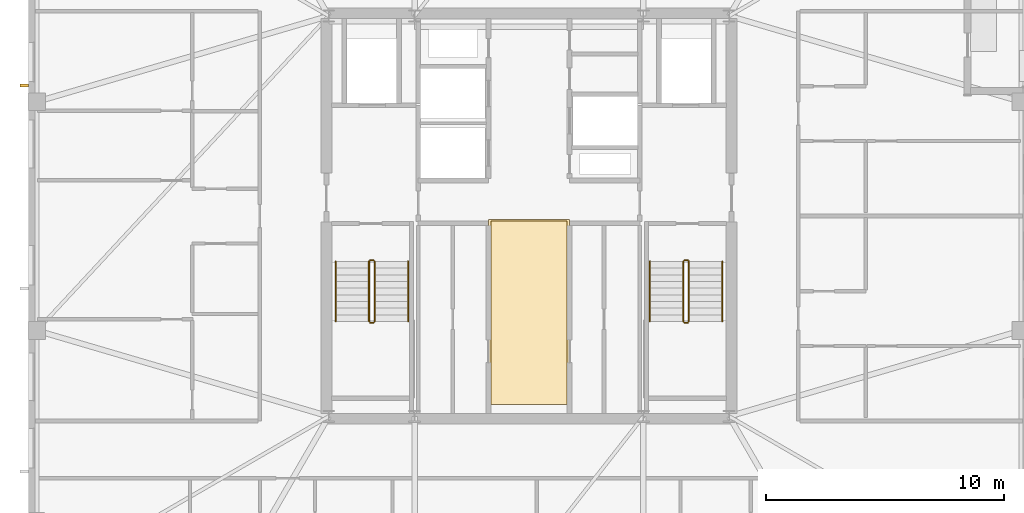
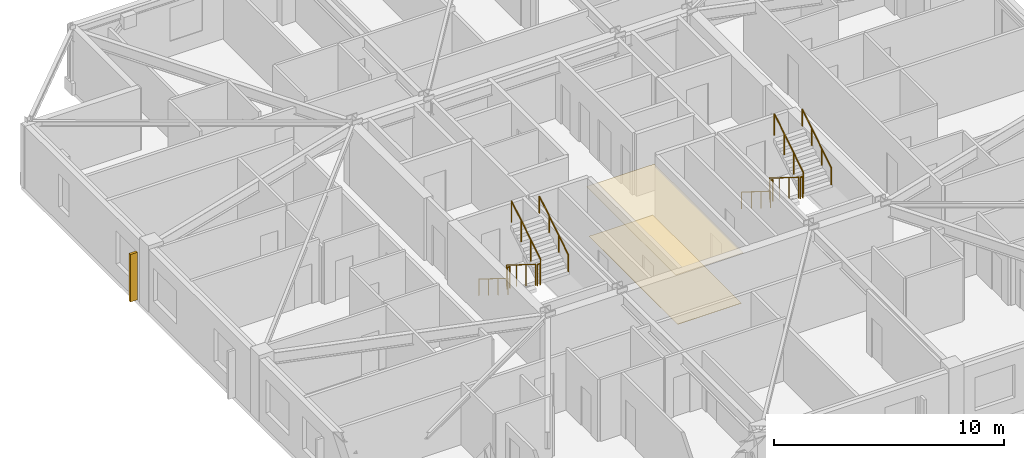
# One storey, part 14 of 16: 12 railings, 2 coverings, 1 shading device.
"""IFC4 building model written with IfcOpenShell, lengths in metres."""

import ifcopenshell
import ifcopenshell.guid

model = None  # the IFC model being written
_history = None  # IfcOwnerHistory: only IFC2X3 demands one
_inside = {}  # id of a spatial element -> (the spatial element, [elements in it])
_under = {}  # id of a project, library or spatial element -> (it, [spatial elements below it])
_declared = {}  # id of a project -> (the project, [libraries it declares])
_typed = {}  # id of a type object -> (the type object, [elements of that type])
_made_of = {}  # id of a material, layer set ... -> (it, [elements and type objects made of it])


def new_model(schema):
    """Start an empty IFC model of exactly this schema.

    Asked for "IFC4X3", IfcOpenShell would pick the latest addendum, in which some entities
    have other attributes; the version numbers below select the first issue.
    IFC2X3 requires an IfcOwnerHistory on every rooted entity: one is made here for all.
    """
    global model, _history
    if schema == "IFC4X3":
        model = ifcopenshell.file(schema_version=(4, 3, 0, 0))
    else:
        model = ifcopenshell.file(schema=schema)
    _inside.clear()
    _under.clear()
    _declared.clear()
    _typed.clear()
    _made_of.clear()
    _history = None
    if model.schema == "IFC2X3":
        org = make("IfcOrganization", Name="unknown")
        user = make(
            "IfcPersonAndOrganization",
            ThePerson=make("IfcPerson", FamilyName="unknown"),
            TheOrganization=org,
        )
        app = make(
            "IfcApplication",
            ApplicationDeveloper=org,
            Version="unknown",
            ApplicationFullName="unknown",
            ApplicationIdentifier="unknown",
        )
        _history = make(
            "IfcOwnerHistory",
            OwningUser=user,
            OwningApplication=app,
            ChangeAction="ADDED",
            CreationDate=0,
        )
    return model


def make(cls, **values):
    """One entity of the class cls with the attributes given. An attribute that is None is left unset."""
    return model.create_entity(
        cls, **{name: value for name, value in values.items() if value is not None}
    )


def rooted(cls, **values):
    """An entity with a GlobalId (a new one), such as an element, a storey or a relation."""
    return make(cls, GlobalId=ifcopenshell.guid.new(), OwnerHistory=_history, **values)


def si_unit(unit_type, name, prefix=None):
    """IfcSIUnit, for example si_unit("LENGTHUNIT", "METRE", prefix="MILLI")."""
    return make("IfcSIUnit", UnitType=unit_type, Prefix=prefix, Name=name)


def assignment(units):
    """IfcUnitAssignment: the units of a project."""
    return None if units is None else make("IfcUnitAssignment", Units=units)


def point(xyz):
    """IfcCartesianPoint."""
    return None if xyz is None else make("IfcCartesianPoint", Coordinates=xyz)


def direction(xyz):
    """IfcDirection."""
    return None if xyz is None else make("IfcDirection", DirectionRatios=xyz)


def frame(location, z_axis=None, x_axis=None):
    """IfcAxis2Placement3D, a coordinate frame: its origin and axes. An axis left out is left unset."""
    return make(
        "IfcAxis2Placement3D",
        Location=point(location),
        Axis=direction(z_axis),
        RefDirection=direction(x_axis),
    )


def frame_2d(location, x_axis=None):
    """IfcAxis2Placement2D, a coordinate frame in the plane: its origin and x axis."""
    return make(
        "IfcAxis2Placement2D", Location=point(location), RefDirection=direction(x_axis)
    )


def origin():
    """The frame at (0, 0, 0) with its axes left unset."""
    return frame((0.0, 0.0, 0.0))


def origin_2d():
    """The frame at (0, 0) in the plane with its x axis left unset."""
    return frame_2d((0.0, 0.0))


def place(relative_to, where):
    """IfcLocalPlacement: puts the frame where relative to a parent placement (None: the world)."""
    return make(
        "IfcLocalPlacement", PlacementRelTo=relative_to, RelativePlacement=where
    )


def context(
    kind, dimensions, precision=None, world=None, true_north=None, identifier=None
):
    """IfcGeometricRepresentationContext, for example the 3D "Model" context."""
    return make(
        "IfcGeometricRepresentationContext",
        ContextIdentifier=identifier,
        ContextType=kind,
        CoordinateSpaceDimension=dimensions,
        Precision=precision,
        WorldCoordinateSystem=world,
        TrueNorth=true_north,
    )


def subcontext(parent, identifier, kind, view, scale=None):
    """IfcGeometricRepresentationSubContext, for example "Body" below "Model"."""
    return make(
        "IfcGeometricRepresentationSubContext",
        ContextIdentifier=identifier,
        ContextType=kind,
        ParentContext=parent,
        TargetScale=scale,
        TargetView=view,
    )


def project(units=None, contexts=None):
    """IfcProject with its units and contexts."""
    return rooted(
        "IfcProject",
        Name="project",
        RepresentationContexts=contexts,
        UnitsInContext=assignment(units),
    )


def spatial(cls, under=None, at=None, **own):
    """A site, building, storey or space (cls), placed at a placement, below another one or the project."""
    s = rooted(cls, ObjectPlacement=at, **own)
    if under is not None:
        _under.setdefault(under.id(), (under, []))[1].append(s)
    return s


def polyline(points):
    """IfcPolyline through the points."""
    return make("IfcPolyline", Points=[point(p) for p in points])


def profile(cls, at=None, kind="AREA", **sizes):
    """A parametric profile (cls). Its sizes go by their IFC names, for example OverallWidth=200.0."""
    return make(cls, ProfileType=kind, Position=at, **sizes)


def rectangle(**sizes):
    """IfcRectangleProfileDef."""
    return profile("IfcRectangleProfileDef", **sizes)


def circle(**sizes):
    """IfcCircleProfileDef."""
    return profile("IfcCircleProfileDef", **sizes)


def outline(outer, holes=None, kind="AREA"):
    """IfcArbitraryClosedProfileDef: a profile drawn as a closed curve; with holes, ...WithVoids."""
    if holes is None:
        return make("IfcArbitraryClosedProfileDef", ProfileType=kind, OuterCurve=outer)
    return make(
        "IfcArbitraryProfileDefWithVoids",
        ProfileType=kind,
        OuterCurve=outer,
        InnerCurves=holes,
    )


def extrude(swept, where, along, depth):
    """IfcExtrudedAreaSolid: the profile swept, set in the frame where, extruded along a direction by depth."""
    return make(
        "IfcExtrudedAreaSolid",
        SweptArea=swept,
        Position=where,
        ExtrudedDirection=direction(along),
        Depth=depth,
    )


def shape(context_of_items, identifier, shape_type, items):
    """IfcShapeRepresentation: the items that make up one representation, for example the "Body"."""
    return make(
        "IfcShapeRepresentation",
        ContextOfItems=context_of_items,
        RepresentationIdentifier=identifier,
        RepresentationType=shape_type,
        Items=items,
    )


def material(Name=None, Category=None):
    """IfcMaterial."""
    return make("IfcMaterial", Name=Name, Category=Category)


def layer(
    of_material, thickness, ventilated=None, Name=None, Category=None, Priority=None
):
    """IfcMaterialLayer: one layer of a wall or slab, of a material (None: an air gap)."""
    return make(
        "IfcMaterialLayer",
        Material=of_material,
        LayerThickness=thickness,
        IsVentilated=ventilated,
        Name=Name,
        Category=Category,
        Priority=Priority,
    )


def layer_set(layers, Name=None):
    """IfcMaterialLayerSet."""
    return make("IfcMaterialLayerSet", MaterialLayers=layers, LayerSetName=Name)


def made_of(thing, what):
    """Note that an element or type object is made of a material, layer set ...; save() writes the relation."""
    if what is not None:
        _made_of.setdefault(what.id(), (what, []))[1].append(thing)
    return thing


def type_object(cls, material=None, **own):
    """A type object (cls), such as IfcWallType, which elements share."""
    return made_of(rooted(cls, **own), material)


def element(
    cls,
    number,
    at=None,
    inside=None,
    cuts=None,
    type_object=None,
    material=None,
    context=None,
    identifier="Body",
    shape_type=None,
    held_by="IfcProductDefinitionShape",
    body=None,
    shapes=None,
    **own,
):
    """One element of the class cls, such as IfcWall. Its Tag is "e" and its number.

    at: its placement. inside: the storey or other place that contains it. cuts: it is an
    opening in that element (IfcRelVoidsElement). A single representation is given by context,
    identifier, shape_type and body (its items); several are given by shapes. held_by: the class
    of the entity that holds the representations. save() writes the other relations.
    """
    e = rooted(cls, Tag="e%d" % number, ObjectPlacement=at, **own)
    if body is not None:
        shapes = [shape(context, identifier, shape_type, body)]
    if shapes is not None:
        e.Representation = make(held_by, Representations=shapes)
    if inside is not None:
        _inside.setdefault(inside.id(), (inside, []))[1].append(e)
    if cuts is not None:
        rooted(
            "IfcRelVoidsElement", RelatingBuildingElement=cuts, RelatedOpeningElement=e
        )
    if type_object is not None:
        _typed.setdefault(type_object.id(), (type_object, []))[1].append(e)
    return made_of(e, material)


def aggregate(whole, parts):
    """IfcRelAggregates: a whole, such as a stair, and the parts it consists of."""
    return rooted("IfcRelAggregates", RelatingObject=whole, RelatedObjects=parts)


def save(model, path):
    """Write the relations noted so far, then the file.

    IfcRelAggregates (storeys below a building ...), IfcRelContainedInSpatialStructure (elements
    in a storey), IfcRelDefinesByType, IfcRelAssociatesMaterial and IfcRelDeclares: one each for
    every whole, place, type object, material and project.
    """
    for whole, parts in _under.values():
        aggregate(whole, parts)
    for where, things in _inside.values():
        rooted(
            "IfcRelContainedInSpatialStructure",
            RelatedElements=things,
            RelatingStructure=where,
        )
    for kind, things in _typed.values():
        rooted("IfcRelDefinesByType", RelatedObjects=things, RelatingType=kind)
    for what, things in _made_of.values():
        rooted("IfcRelAssociatesMaterial", RelatedObjects=things, RelatingMaterial=what)
    for by, libraries in _declared.values():
        rooted("IfcRelDeclares", RelatingContext=by, RelatedDefinitions=libraries)
    model.write(path)


model = new_model("IFC4")

# Units and contexts
model_context = context("Model", 3, precision=1e-05, world=origin(), true_north=direction((0.0, 1.0)))
body_context = subcontext(model_context, "Body", "Model", "MODEL_VIEW")
ifc_project = project(units=[si_unit("LENGTHUNIT", "METRE"), si_unit("AREAUNIT", "SQUARE_METRE"), si_unit("VOLUMEUNIT", "CUBIC_METRE"), si_unit("PLANEANGLEUNIT", "RADIAN"), si_unit("MASSUNIT", "GRAM", prefix="KILO")], contexts=[model_context])

# Site, building, storey
site_placement = place(None, origin())
site = spatial("IfcSite", under=ifc_project, at=site_placement, CompositionType="ELEMENT")
building_placement = place(site_placement, origin())
building = spatial("IfcBuilding", under=site, at=building_placement, Name="Cairnveth Concourse Tower", CompositionType="ELEMENT")
storey_placement = place(building_placement, frame((0.0, 0.0, 312.0)))
storey = spatial("IfcBuildingStorey", under=building, at=storey_placement, Name="L86", CompositionType="ELEMENT", Elevation=312.0)

# Covering
ifc_material_1 = material(Name="Acoustic Mineral Fibre Ceiling", Category="gypsum")
ifc_layer_1 = layer(ifc_material_1, 0.02490234375)
ifc_layer_set_1 = layer_set([ifc_layer_1], Name="Acoustic Mineral Fibre Ceiling")
covering_type_1 = type_object("IfcCoveringType", Name="ACOUSTIC MINERAL FIBRE CEILING 25", PredefinedType="CEILING", material=ifc_layer_set_1)
covering_1_placement = place(storey_placement, frame((0.0, 0.0, 2.637939453125)))
element("IfcCovering", 1, at=covering_1_placement, inside=storey, type_object=covering_type_1, Name="Lift Lobby Acoustic Ceiling L86", PredefinedType="CEILING", context=body_context, shape_type="SweptSolid", body=[
    extrude(outline(polyline([(50.300048828125, 31.10009765625), (53.699951171875, 31.10009765625), (53.699951171875, 38.85009765625), (50.300048828125, 38.85009765625), (50.300048828125, 31.10009765625)])), origin(), (0.0, 0.0, 1.0), 0.025146484375),
])

# Shading device
ifc_material_2 = material(Name="Architectural Bronze Anodised Aluminium 6063-T6", Category="aluminium")
shading_device_type = type_object("IfcShadingDeviceType", Name="GOTHIC BRONZE VERTICAL LANCET FIN", PredefinedType="USERDEFINED", material=ifc_material_2)
shading_device_placement = place(storey_placement, frame((30.824951171875, 44.4814453125, 0.030029296875), z_axis=(0.0, 0.0, 1.0), x_axis=(0.0, 1.0, 0.0)))
element("IfcShadingDevice", 2, at=shading_device_placement, inside=storey, type_object=shading_device_type, Name="Gothic Bronze Vertical Fin L86-6-5", ObjectType="VERTICAL FIN", PredefinedType="USERDEFINED", context=body_context, shape_type="SweptSolid", body=[
    extrude(rectangle(XDim=0.1201171875, YDim=0.360107421875, at=origin_2d()), origin(), (0.0, 0.0, 1.0), 2.51806640625),
])

# Railings
ifc_material_3 = material(Name="Steel Grade 350", Category="steel")
railing_type_1 = type_object("IfcRailingType", Name="STAIR GUARDRAIL 1150", PredefinedType="GUARDRAIL", material=ifc_material_3)
railing_1_placement = place(storey_placement, frame((45.2900390625, 37.10009765625, 0.175048828125)))
element("IfcRailing", 3, at=railing_1_placement, inside=storey, type_object=railing_type_1, Name="L86 ST-1 stair guard 1", PredefinedType="GUARDRAIL", context=body_context, shape_type="SweptSolid", body=[
    extrude(circle(Radius=0.02392578125, at=origin_2d()), frame((0.0, 0.0, 1.1259765625), z_axis=(0.0, -0.848007534815, 0.529984170421), x_axis=(1.0, 0.0, 0.0)), (0.0, 0.0, 1.0), 2.9716796875),
    extrude(circle(Radius=0.02099609375, at=origin_2d()), origin(), (0.0, 0.0, 1.0), 1.101806640625),
    extrude(circle(Radius=0.02099609375, at=origin_2d()), frame((0.0, -0.840087890625, 0.52490234375)), (0.0, 0.0, 1.0), 1.101806640625),
    extrude(circle(Radius=0.02099609375, at=origin_2d()), frame((0.0, -1.679931640625, 1.050048828125)), (0.0, 0.0, 1.0), 1.101806640625),
    extrude(circle(Radius=0.02099609375, at=origin_2d()), frame((0.0, -2.52001953125, 1.574951171875)), (0.0, 0.0, 1.0), 1.101806640625),
])
railing_2_placement = place(storey_placement, frame((45.340087890625, 34.530029296875, 1.75)))
element("IfcRailing", 4, at=railing_2_placement, inside=storey, type_object=railing_type_1, Name="L86 ST-1 stair guard 2", PredefinedType="GUARDRAIL", context=body_context, shape_type="SweptSolid", body=[
    extrude(circle(Radius=0.02392578125, at=origin_2d()), frame((0.0, 0.0, 1.1259765625), z_axis=(1.0, 0.0, 0.0), x_axis=(0.0, 1.0, 0.0)), (0.0, 0.0, 1.0), 0.139892578125),
    extrude(circle(Radius=0.02099609375, at=origin_2d()), origin(), (0.0, 0.0, 1.0), 1.101806640625),
    extrude(circle(Radius=0.02099609375, at=origin_2d()), frame((0.139892578125, 0.0, 0.0)), (0.0, 0.0, 1.0), 1.101806640625),
])
railing_3_placement = place(storey_placement, frame((45.530029296875, 34.580078125, 1.925048828125)))
element("IfcRailing", 5, at=railing_3_placement, inside=storey, type_object=railing_type_1, Name="L86 ST-1 stair guard 3", PredefinedType="GUARDRAIL", context=body_context, shape_type="SweptSolid", body=[
    extrude(circle(Radius=0.02392578125, at=origin_2d()), frame((0.0, 0.0, 1.1259765625), z_axis=(0.0, 0.848007534815, 0.529984170421), x_axis=(-1.0, 0.0, 0.0)), (0.0, 0.0, 1.0), 2.9716796875),
    extrude(circle(Radius=0.02099609375, at=origin_2d()), origin(), (0.0, 0.0, 1.0), 1.101806640625),
    extrude(circle(Radius=0.02099609375, at=origin_2d()), frame((0.0, 0.840087890625, 0.52490234375)), (0.0, 0.0, 1.0), 1.101806640625),
    extrude(circle(Radius=0.02099609375, at=origin_2d()), frame((0.0, 1.679931640625, 1.050048828125)), (0.0, 0.0, 1.0), 1.101806640625),
    extrude(circle(Radius=0.02099609375, at=origin_2d()), frame((0.0, 2.52001953125, 1.574951171875)), (0.0, 0.0, 1.0), 1.101806640625),
])
railing_4_placement = place(storey_placement, frame((45.340087890625, 37.14990234375, 0.0)))
element("IfcRailing", 6, at=railing_4_placement, inside=storey, type_object=railing_type_1, Name="L86 ST-1 stair guard 4", PredefinedType="GUARDRAIL", context=body_context, shape_type="SweptSolid", body=[
    extrude(circle(Radius=0.02392578125, at=origin_2d()), frame((0.0, 0.0, 1.1259765625), z_axis=(1.0, 0.0, 0.0), x_axis=(0.0, 1.0, 0.0)), (0.0, 0.0, 1.0), 0.139892578125),
    extrude(circle(Radius=0.02099609375, at=origin_2d()), origin(), (0.0, 0.0, 1.0), 1.101806640625),
    extrude(circle(Radius=0.02099609375, at=origin_2d()), frame((0.139892578125, 0.0, 0.0)), (0.0, 0.0, 1.0), 1.101806640625),
])
railing_5_placement = place(storey_placement, frame((58.469970703125, 37.10009765625, 0.175048828125)))
element("IfcRailing", 7, at=railing_5_placement, inside=storey, type_object=railing_type_1, Name="L86 ST-2 stair guard 1", PredefinedType="GUARDRAIL", context=body_context, shape_type="SweptSolid", body=[
    extrude(circle(Radius=0.02392578125, at=origin_2d()), frame((0.0, 0.0, 1.1259765625), z_axis=(0.0, -0.848007534815, 0.529984170421), x_axis=(1.0, 0.0, 0.0)), (0.0, 0.0, 1.0), 2.9716796875),
    extrude(circle(Radius=0.02099609375, at=origin_2d()), origin(), (0.0, 0.0, 1.0), 1.101806640625),
    extrude(circle(Radius=0.02099609375, at=origin_2d()), frame((0.0, -0.840087890625, 0.52490234375)), (0.0, 0.0, 1.0), 1.101806640625),
    extrude(circle(Radius=0.02099609375, at=origin_2d()), frame((0.0, -1.679931640625, 1.050048828125)), (0.0, 0.0, 1.0), 1.101806640625),
    extrude(circle(Radius=0.02099609375, at=origin_2d()), frame((0.0, -2.52001953125, 1.574951171875)), (0.0, 0.0, 1.0), 1.101806640625),
])
railing_6_placement = place(storey_placement, frame((58.52001953125, 34.530029296875, 1.75)))
element("IfcRailing", 8, at=railing_6_placement, inside=storey, type_object=railing_type_1, Name="L86 ST-2 stair guard 2", PredefinedType="GUARDRAIL", context=body_context, shape_type="SweptSolid", body=[
    extrude(circle(Radius=0.02392578125, at=origin_2d()), frame((0.0, 0.0, 1.1259765625), z_axis=(1.0, 0.0, 0.0), x_axis=(0.0, 1.0, 0.0)), (0.0, 0.0, 1.0), 0.139892578125),
    extrude(circle(Radius=0.02099609375, at=origin_2d()), origin(), (0.0, 0.0, 1.0), 1.101806640625),
    extrude(circle(Radius=0.02099609375, at=origin_2d()), frame((0.139892578125, 0.0, 0.0)), (0.0, 0.0, 1.0), 1.101806640625),
])
railing_7_placement = place(storey_placement, frame((58.7099609375, 34.580078125, 1.925048828125)))
element("IfcRailing", 9, at=railing_7_placement, inside=storey, type_object=railing_type_1, Name="L86 ST-2 stair guard 3", PredefinedType="GUARDRAIL", context=body_context, shape_type="SweptSolid", body=[
    extrude(circle(Radius=0.02392578125, at=origin_2d()), frame((0.0, 0.0, 1.1259765625), z_axis=(0.0, 0.848007534815, 0.529984170421), x_axis=(-1.0, 0.0, 0.0)), (0.0, 0.0, 1.0), 2.9716796875),
    extrude(circle(Radius=0.02099609375, at=origin_2d()), origin(), (0.0, 0.0, 1.0), 1.101806640625),
    extrude(circle(Radius=0.02099609375, at=origin_2d()), frame((0.0, 0.840087890625, 0.52490234375)), (0.0, 0.0, 1.0), 1.101806640625),
    extrude(circle(Radius=0.02099609375, at=origin_2d()), frame((0.0, 1.679931640625, 1.050048828125)), (0.0, 0.0, 1.0), 1.101806640625),
    extrude(circle(Radius=0.02099609375, at=origin_2d()), frame((0.0, 2.52001953125, 1.574951171875)), (0.0, 0.0, 1.0), 1.101806640625),
])
railing_8_placement = place(storey_placement, frame((58.52001953125, 37.14990234375, 0.0)))
element("IfcRailing", 10, at=railing_8_placement, inside=storey, type_object=railing_type_1, Name="L86 ST-2 stair guard 4", PredefinedType="GUARDRAIL", context=body_context, shape_type="SweptSolid", body=[
    extrude(circle(Radius=0.02392578125, at=origin_2d()), frame((0.0, 0.0, 1.1259765625), z_axis=(1.0, 0.0, 0.0), x_axis=(0.0, 1.0, 0.0)), (0.0, 0.0, 1.0), 0.139892578125),
    extrude(circle(Radius=0.02099609375, at=origin_2d()), origin(), (0.0, 0.0, 1.0), 1.101806640625),
    extrude(circle(Radius=0.02099609375, at=origin_2d()), frame((0.139892578125, 0.0, 0.0)), (0.0, 0.0, 1.0), 1.101806640625),
])
railing_type_2 = type_object("IfcRailingType", Name="STAIR WALL HANDRAIL 900", PredefinedType="HANDRAIL", material=ifc_material_3)
railing_9_placement = place(storey_placement, frame((43.889892578125, 37.10009765625, 0.175048828125)))
element("IfcRailing", 11, at=railing_9_placement, inside=storey, type_object=railing_type_2, Name="L86 ST-1 stair handrail 1", PredefinedType="HANDRAIL", context=body_context, shape_type="SweptSolid", body=[
    extrude(circle(Radius=0.02392578125, at=origin_2d()), frame((0.0, 0.0, 0.8759765625), z_axis=(0.0, -0.848007534815, 0.529984170421), x_axis=(1.0, 0.0, 0.0)), (0.0, 0.0, 1.0), 2.9716796875),
    extrude(circle(Radius=0.02099609375, at=origin_2d()), origin(), (0.0, 0.0, 1.0), 0.851806640625),
    extrude(circle(Radius=0.02099609375, at=origin_2d()), frame((0.0, -0.840087890625, 0.52490234375)), (0.0, 0.0, 1.0), 0.851806640625),
    extrude(circle(Radius=0.02099609375, at=origin_2d()), frame((0.0, -1.679931640625, 1.050048828125)), (0.0, 0.0, 1.0), 0.851806640625),
    extrude(circle(Radius=0.02099609375, at=origin_2d()), frame((0.0, -2.52001953125, 1.574951171875)), (0.0, 0.0, 1.0), 0.851806640625),
])
railing_10_placement = place(storey_placement, frame((46.929931640625, 34.580078125, 1.925048828125)))
element("IfcRailing", 12, at=railing_10_placement, inside=storey, type_object=railing_type_2, Name="L86 ST-1 stair handrail 2", PredefinedType="HANDRAIL", context=body_context, shape_type="SweptSolid", body=[
    extrude(circle(Radius=0.02392578125, at=origin_2d()), frame((0.0, 0.0, 0.8759765625), z_axis=(0.0, 0.848007534815, 0.529984170421), x_axis=(-1.0, 0.0, 0.0)), (0.0, 0.0, 1.0), 2.9716796875),
    extrude(circle(Radius=0.02099609375, at=origin_2d()), origin(), (0.0, 0.0, 1.0), 0.851806640625),
    extrude(circle(Radius=0.02099609375, at=origin_2d()), frame((0.0, 0.840087890625, 0.52490234375)), (0.0, 0.0, 1.0), 0.851806640625),
    extrude(circle(Radius=0.02099609375, at=origin_2d()), frame((0.0, 1.679931640625, 1.050048828125)), (0.0, 0.0, 1.0), 0.851806640625),
    extrude(circle(Radius=0.02099609375, at=origin_2d()), frame((0.0, 2.52001953125, 1.574951171875)), (0.0, 0.0, 1.0), 0.851806640625),
])
railing_11_placement = place(storey_placement, frame((57.070068359375, 37.10009765625, 0.175048828125)))
element("IfcRailing", 13, at=railing_11_placement, inside=storey, type_object=railing_type_2, Name="L86 ST-2 stair handrail 1", PredefinedType="HANDRAIL", context=body_context, shape_type="SweptSolid", body=[
    extrude(circle(Radius=0.02392578125, at=origin_2d()), frame((0.0, 0.0, 0.8759765625), z_axis=(0.0, -0.848007534815, 0.529984170421), x_axis=(1.0, 0.0, 0.0)), (0.0, 0.0, 1.0), 2.9716796875),
    extrude(circle(Radius=0.02099609375, at=origin_2d()), origin(), (0.0, 0.0, 1.0), 0.851806640625),
    extrude(circle(Radius=0.02099609375, at=origin_2d()), frame((0.0, -0.840087890625, 0.52490234375)), (0.0, 0.0, 1.0), 0.851806640625),
    extrude(circle(Radius=0.02099609375, at=origin_2d()), frame((0.0, -1.679931640625, 1.050048828125)), (0.0, 0.0, 1.0), 0.851806640625),
    extrude(circle(Radius=0.02099609375, at=origin_2d()), frame((0.0, -2.52001953125, 1.574951171875)), (0.0, 0.0, 1.0), 0.851806640625),
])
railing_12_placement = place(storey_placement, frame((60.110107421875, 34.580078125, 1.925048828125)))
element("IfcRailing", 14, at=railing_12_placement, inside=storey, type_object=railing_type_2, Name="L86 ST-2 stair handrail 2", PredefinedType="HANDRAIL", context=body_context, shape_type="SweptSolid", body=[
    extrude(circle(Radius=0.02392578125, at=origin_2d()), frame((0.0, 0.0, 0.8759765625), z_axis=(0.0, 0.848007534815, 0.529984170421), x_axis=(-1.0, 0.0, 0.0)), (0.0, 0.0, 1.0), 2.9716796875),
    extrude(circle(Radius=0.02099609375, at=origin_2d()), origin(), (0.0, 0.0, 1.0), 0.851806640625),
    extrude(circle(Radius=0.02099609375, at=origin_2d()), frame((0.0, 0.840087890625, 0.52490234375)), (0.0, 0.0, 1.0), 0.851806640625),
    extrude(circle(Radius=0.02099609375, at=origin_2d()), frame((0.0, 1.679931640625, 1.050048828125)), (0.0, 0.0, 1.0), 0.851806640625),
    extrude(circle(Radius=0.02099609375, at=origin_2d()), frame((0.0, 2.52001953125, 1.574951171875)), (0.0, 0.0, 1.0), 0.851806640625),
])

# Covering
ifc_material_4 = material(Name="Vitrified Stoneware Tile Flooring", Category="masonry")
ifc_layer_2 = layer(ifc_material_4, 0.02001953125)
ifc_layer_set_2 = layer_set([ifc_layer_2], Name="Vitrified Stoneware Tile Flooring")
covering_type_2 = type_object("IfcCoveringType", Name="VITRIFIED STONEWARE LOBBY FLOORING 20", PredefinedType="FLOORING", material=ifc_layer_set_2)
covering_2_placement = place(storey_placement, origin())
element("IfcCovering", 15, at=covering_2_placement, inside=storey, type_object=covering_type_2, Name="Lift Lobby Stoneware Flooring L86", PredefinedType="FLOORING", context=body_context, shape_type="SweptSolid", body=[
    extrude(outline(polyline([(50.39990234375, 31.10009765625), (53.60009765625, 31.10009765625), (53.60009765625, 38.800048828125), (50.39990234375, 38.800048828125), (50.39990234375, 31.10009765625)])), origin(), (0.0, 0.0, 1.0), 0.02001953125),
])

save(model, "model.ifc")
